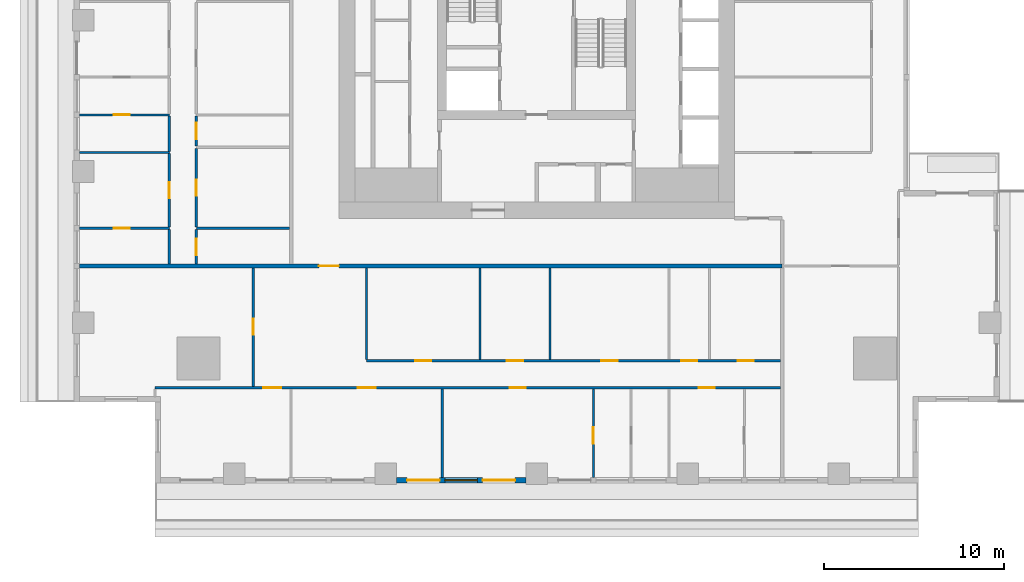
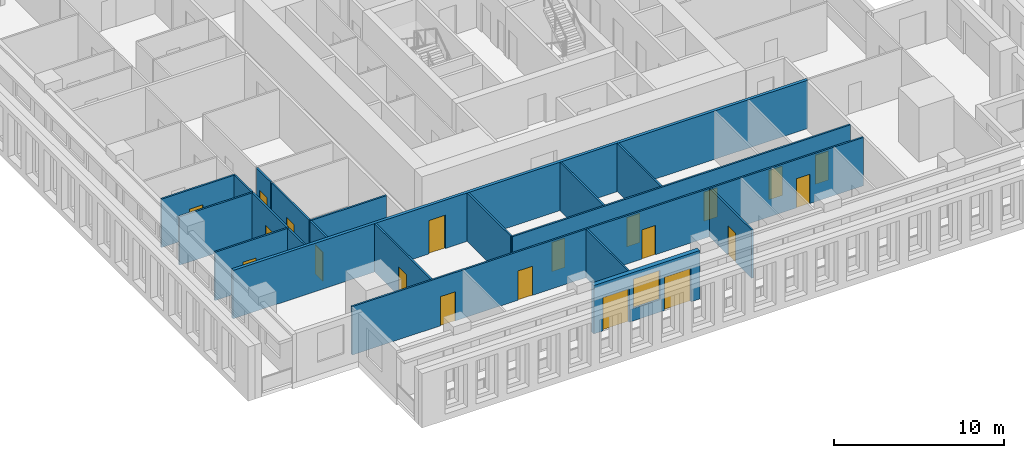
# One storey, part 2 of 15: 20 doors, 20 walls, 1 window, 21 openings.
"""IFC4 building model written with IfcOpenShell, lengths in metres."""

from ifc_helpers import new_model, si_unit, direction, frame, frame_2d, origin, place, context, subcontext, project, spatial, rectangle, extrude, material, layer, layer_set, type_object, element, fill, save


model = new_model("IFC4")

# Units and contexts
model_context = context("Model", 3, precision=1e-05, world=origin(), true_north=direction((0.0, 1.0)))
body_context = subcontext(model_context, "Body", "Model", "MODEL_VIEW")
ifc_project = project(units=[si_unit("LENGTHUNIT", "METRE"), si_unit("AREAUNIT", "SQUARE_METRE"), si_unit("VOLUMEUNIT", "CUBIC_METRE"), si_unit("PLANEANGLEUNIT", "RADIAN"), si_unit("MASSUNIT", "GRAM", prefix="KILO")], contexts=[model_context])

# Site, building, storey
site_placement = place(None, origin())
site = spatial("IfcSite", under=ifc_project, at=site_placement, CompositionType="ELEMENT")
building_placement = place(site_placement, origin())
building = spatial("IfcBuilding", under=site, at=building_placement, Name="Khepri Terraces", CompositionType="ELEMENT")
storey_placement = place(building_placement, frame((0.0, 0.0, 211.800048828125)))
storey = spatial("IfcBuildingStorey", under=building, at=storey_placement, Name="L50", CompositionType="ELEMENT", Elevation=211.800048828125)

# Wall, opening, door
ifc_material_1 = material(Name="Fire-rated gypsum plasterboard partition, mineral wool")
ifc_layer_1 = layer(ifc_material_1, 0.199951171875, Name="Fire-rated gypsum plasterboard partition, mineral wool")
ifc_layer_set_1 = layer_set([ifc_layer_1], Name="Fire-rated gypsum plasterboard partition, mineral wool")
wall_type_1 = type_object("IfcWallType", Name="WL-CORR-200", PredefinedType="PARTITIONING", material=ifc_layer_set_1)
wall_1_placement = place(storey_placement, frame((-25.419921875, -13.64990234375, 0.0), z_axis=(0.0, 0.0, 1.0), x_axis=(1.0, 0.0, 0.0)))
wall_1 = element("IfcWall", 1, at=wall_1_placement, inside=storey, type_object=wall_type_1, Name="Partition P-018 L50", PredefinedType="PARTITIONING", context=body_context, shape_type="SweptSolid", body=[
    extrude(rectangle(XDim=39.06982421875, YDim=0.199951171875, at=frame_2d((19.534912109375, 0.0))), origin(), (0.0, 0.0, 1.0), 3.47998046875),
])
opening_1_placement = place(wall_1_placement, frame((13.320068359375, 0.0, 0.0)))
opening_1 = element("IfcOpeningElement", 2, at=opening_1_placement, cuts=wall_1, Name="Opening D1", PredefinedType="OPENING", context=body_context, shape_type="SweptSolid", body=[
    extrude(rectangle(XDim=1.10009765625, YDim=2.39990234375, at=frame_2d((0.550048828125, 1.199951171875))), frame((0.0, 0.10986328125, 0.0), z_axis=(0.0, -1.0, 0.0), x_axis=(1.0, 0.0, 0.0)), (0.0, 0.0, 1.0), 0.219970703125),
])
ifc_material_2 = material(Name="Solid-core timber door leaf, flat entrance door", Category="wood")
door_type_1 = type_object("IfcDoorType", Name="DR-ENT-1100", OperationType="NOTDEFINED", PredefinedType="DOOR", material=ifc_material_2)
door_1_placement = place(opening_1_placement, frame((1.10009765625, 0.0, 0.0), z_axis=(0.0, 0.0, 1.0), x_axis=(-1.0, 0.0, 0.0)))
door_1 = element("IfcDoor", 3, at=door_1_placement, inside=storey, type_object=door_type_1, Name="Flat A1 entrance door", OperationType="SINGLE_SWING_RIGHT", OverallHeight=2.39990234375, OverallWidth=1.10009765625, PredefinedType="DOOR", context=body_context, shape_type="SweptSolid", body=[
    extrude(rectangle(XDim=1.10009765625, YDim=2.39990234375, at=frame_2d((0.550048828125, 1.199951171875))), frame((0.0, 0.02490234375, 0.0), z_axis=(0.0, -1.0, 0.0), x_axis=(1.0, 0.0, 0.0)), (0.0, 0.0, 1.0), 0.050048828125),
])
fill(opening_1, door_1)

# Wall, openings, doors, window
ifc_material_3 = material(Name="Precast concrete C50/60 warm stone", Category="masonry")
ifc_layer_2 = layer(ifc_material_3, 0.300048828125, Name="Precast concrete C50/60 warm stone", Category="masonry")
ifc_layer_set_2 = layer_set([ifc_layer_2], Name="Precast concrete C50/60 warm stone")
wall_type_2 = type_object("IfcWallType", Name="WL-EXT-PRECAST-300", PredefinedType="STANDARD", material=ifc_layer_set_2)
wall_2_placement = place(storey_placement, frame((-7.800048828125, -25.570068359375, 0.0), z_axis=(0.0, 0.0, 1.0), x_axis=(1.0, 0.0, 0.0)))
wall_2 = element("IfcWall", 4, at=wall_2_placement, inside=storey, type_object=wall_type_2, Name="External wall L50 S", PredefinedType="STANDARD", context=body_context, shape_type="SweptSolid", body=[
    extrude(rectangle(XDim=7.199951171875, YDim=0.300048828125, at=frame_2d((3.60009765625, 0.0))), origin(), (0.0, 0.0, 1.0), 3.47998046875),
])
opening_2_placement = place(wall_2_placement, frame((0.60009765625, 0.0, 0.0)))
opening_2 = element("IfcOpeningElement", 5, at=opening_2_placement, cuts=wall_2, Name="Opening ED-L50-20", PredefinedType="OPENING", context=body_context, shape_type="SweptSolid", body=[
    extrude(rectangle(XDim=1.800048828125, YDim=2.39990234375, at=frame_2d((0.89990234375, 1.199951171875))), frame((0.0, 0.16015625, 0.0), z_axis=(0.0, -1.0, 0.0), x_axis=(1.0, 0.0, 0.0)), (0.0, 0.0, 1.0), 0.320068359375),
])
opening_3_placement = place(wall_2_placement, frame((2.699951171875, 0.0, 0.89990234375)))
opening_3 = element("IfcOpeningElement", 6, at=opening_3_placement, cuts=wall_2, Name="Opening W1", PredefinedType="OPENING", context=body_context, shape_type="SweptSolid", body=[
    extrude(rectangle(XDim=1.800048828125, YDim=2.10009765625, at=frame_2d((0.89990234375, 1.050048828125))), frame((0.0, 0.16015625, 0.0), z_axis=(0.0, -1.0, 0.0), x_axis=(1.0, 0.0, 0.0)), (0.0, 0.0, 1.0), 0.320068359375),
])
opening_4_placement = place(wall_2_placement, frame((4.800048828125, 0.0, 0.0)))
opening_4 = element("IfcOpeningElement", 7, at=opening_4_placement, cuts=wall_2, Name="Opening ED-L50-21", PredefinedType="OPENING", context=body_context, shape_type="SweptSolid", body=[
    extrude(rectangle(XDim=1.800048828125, YDim=2.39990234375, at=frame_2d((0.89990234375, 1.199951171875))), frame((0.0, 0.16015625, 0.0), z_axis=(0.0, -1.0, 0.0), x_axis=(1.0, 0.0, 0.0)), (0.0, 0.0, 1.0), 0.320068359375),
])
ifc_material_4 = material(Name="Anodised aluminium bronze glazed door", Category="aluminium")
door_type_2 = type_object("IfcDoorType", Name="DR-BAL-SLIDE-1800x2400", OperationType="NOTDEFINED", PredefinedType="DOOR", material=ifc_material_4)
door_2_placement = place(opening_2_placement, origin())
door_2 = element("IfcDoor", 8, at=door_2_placement, inside=storey, type_object=door_type_2, Name="Balcony door L50 S", OperationType="SLIDING_TO_LEFT", OverallHeight=2.39990234375, OverallWidth=1.800048828125, PredefinedType="DOOR", context=body_context, shape_type="SweptSolid", body=[
    extrude(rectangle(XDim=1.800048828125, YDim=2.39990234375, at=frame_2d((0.89990234375, 1.199951171875))), frame((0.0, 0.02490234375, 0.0), z_axis=(0.0, -1.0, 0.0), x_axis=(1.0, 0.0, 0.0)), (0.0, 0.0, 1.0), 0.050048828125),
])
fill(opening_2, door_2)
door_3_placement = place(opening_4_placement, origin())
door_3 = element("IfcDoor", 9, at=door_3_placement, inside=storey, type_object=door_type_2, Name="Balcony door L50 S", OperationType="SLIDING_TO_RIGHT", OverallHeight=2.39990234375, OverallWidth=1.800048828125, PredefinedType="DOOR", context=body_context, shape_type="SweptSolid", body=[
    extrude(rectangle(XDim=1.800048828125, YDim=2.39990234375, at=frame_2d((0.89990234375, 1.199951171875))), frame((0.0, 0.02490234375, 0.0), z_axis=(0.0, -1.0, 0.0), x_axis=(1.0, 0.0, 0.0)), (0.0, 0.0, 1.0), 0.050048828125),
])
fill(opening_4, door_3)
ifc_material_5 = material(Name="Clear glass", Category="glass")
window_type = type_object("IfcWindowType", Name="WIN-RES-1800x2100", PartitioningType="SINGLE_PANEL", PredefinedType="WINDOW", material=ifc_material_5)
window_placement = place(opening_3_placement, origin())
window = element("IfcWindow", 10, at=window_placement, inside=storey, type_object=window_type, Name="Window L50 S", OverallHeight=2.10009765625, OverallWidth=1.800048828125, PartitioningType="SINGLE_PANEL", PredefinedType="WINDOW", context=body_context, shape_type="SweptSolid", body=[
    extrude(rectangle(XDim=1.800048828125, YDim=2.10009765625, at=frame_2d((0.89990234375, 1.050048828125))), frame((0.0, 0.030029296875, 0.0), z_axis=(0.0, -1.0, 0.0), x_axis=(1.0, 0.0, 0.0)), (0.0, 0.0, 1.0), 0.06005859375),
])
fill(opening_3, window)

# Wall
ifc_material_6 = material(Name="Gypsum plasterboard partition")
ifc_layer_3 = layer(ifc_material_6, 0.1201171875, Name="Gypsum plasterboard partition")
ifc_layer_set_3 = layer_set([ifc_layer_3], Name="Gypsum plasterboard partition")
wall_type_3 = type_object("IfcWallType", Name="WL-PART-120", PredefinedType="PARTITIONING", material=ifc_layer_set_3)
wall_3_placement = place(storey_placement, frame((-5.25, -25.419921875, 0.0), z_axis=(0.0, 0.0, 1.0), x_axis=(0.0, 1.0, 0.0)))
element("IfcWall", 11, at=wall_3_placement, inside=storey, type_object=wall_type_3, Name="Partition P-002 L50", PredefinedType="PARTITIONING", context=body_context, shape_type="SweptSolid", body=[
    extrude(rectangle(XDim=4.93994140625, YDim=0.1201171875, at=frame_2d((2.469970703125, 0.0))), origin(), (0.0, 0.0, 1.0), 3.47998046875),
])

# Wall, opening, door
wall_4_placement = place(storey_placement, frame((3.14990234375, -25.419921875, 0.0), z_axis=(0.0, 0.0, 1.0), x_axis=(0.0, 1.0, 0.0)))
wall_4 = element("IfcWall", 12, at=wall_4_placement, inside=storey, type_object=wall_type_3, Name="Partition P-003 L50", PredefinedType="PARTITIONING", context=body_context, shape_type="SweptSolid", body=[
    extrude(rectangle(XDim=4.93994140625, YDim=0.1201171875, at=frame_2d((2.469970703125, 0.0))), origin(), (0.0, 0.0, 1.0), 3.47998046875),
])
opening_5_placement = place(wall_4_placement, frame((1.89990234375, 0.0, 0.0)))
opening_5 = element("IfcOpeningElement", 13, at=opening_5_placement, cuts=wall_4, Name="Opening D3", PredefinedType="OPENING", context=body_context, shape_type="SweptSolid", body=[
    extrude(rectangle(XDim=0.89990234375, YDim=2.10009765625, at=frame_2d((0.449951171875, 1.050048828125))), frame((0.0, 0.070068359375, 0.0), z_axis=(0.0, -1.0, 0.0), x_axis=(1.0, 0.0, 0.0)), (0.0, 0.0, 1.0), 0.14013671875),
])
ifc_material_7 = material(Name="Timber door leaf", Category="wood")
door_type_3 = type_object("IfcDoorType", Name="DR-INT-900", OperationType="NOTDEFINED", PredefinedType="DOOR", material=ifc_material_7)
door_4_placement = place(opening_5_placement, frame((0.89990234375, 0.0, 0.0), z_axis=(0.0, 0.0, 1.0), x_axis=(-1.0, 0.0, 0.0)))
door_4 = element("IfcDoor", 14, at=door_4_placement, inside=storey, type_object=door_type_3, Name="Door Dressing Room", OperationType="SINGLE_SWING_RIGHT", OverallHeight=2.10009765625, OverallWidth=0.89990234375, PredefinedType="DOOR", context=body_context, shape_type="SweptSolid", body=[
    extrude(rectangle(XDim=0.89990234375, YDim=2.10009765625, at=frame_2d((0.449951171875, 1.050048828125))), frame((0.0, 0.02490234375, 0.0), z_axis=(0.0, -1.0, 0.0), x_axis=(1.0, 0.0, 0.0)), (0.0, 0.0, 1.0), 0.050048828125),
])
fill(opening_5, door_4)

# Wall, openings, doors
wall_5_placement = place(storey_placement, frame((-21.218994140625, -20.419921875, 0.0), z_axis=(0.0, 0.0, 1.0), x_axis=(1.0, 0.0, 0.0)))
wall_5 = element("IfcWall", 15, at=wall_5_placement, inside=storey, type_object=wall_type_3, Name="Partition P-010 L50", PredefinedType="PARTITIONING", context=body_context, shape_type="SweptSolid", body=[
    extrude(rectangle(XDim=34.76904296875, YDim=0.1201171875, at=frame_2d((17.384521484375, 0.0))), origin(), (0.0, 0.0, 1.0), 3.47998046875),
])
opening_6_placement = place(wall_5_placement, frame((6.01904296875, 0.0, 0.0)))
opening_6 = element("IfcOpeningElement", 16, at=opening_6_placement, cuts=wall_5, Name="Opening D2", PredefinedType="OPENING", context=body_context, shape_type="SweptSolid", body=[
    extrude(rectangle(XDim=1.0, YDim=2.10009765625, at=frame_2d((0.5, 1.050048828125))), frame((0.0, 0.070068359375, 0.0), z_axis=(0.0, -1.0, 0.0), x_axis=(1.0, 0.0, 0.0)), (0.0, 0.0, 1.0), 0.14013671875),
])
opening_7_placement = place(wall_5_placement, frame((11.26904296875, 0.0, 0.0)))
opening_7 = element("IfcOpeningElement", 17, at=opening_7_placement, cuts=wall_5, Name="Opening D2", PredefinedType="OPENING", context=body_context, shape_type="SweptSolid", body=[
    extrude(rectangle(XDim=1.0, YDim=2.10009765625, at=frame_2d((0.5, 1.050048828125))), frame((0.0, 0.070068359375, 0.0), z_axis=(0.0, -1.0, 0.0), x_axis=(1.0, 0.0, 0.0)), (0.0, 0.0, 1.0), 0.14013671875),
])
opening_8_placement = place(wall_5_placement, frame((19.718994140625, 0.0, 0.0)))
opening_8 = element("IfcOpeningElement", 18, at=opening_8_placement, cuts=wall_5, Name="Opening D3", PredefinedType="OPENING", context=body_context, shape_type="SweptSolid", body=[
    extrude(rectangle(XDim=0.89990234375, YDim=2.10009765625, at=frame_2d((0.449951171875, 1.050048828125))), frame((0.0, 0.070068359375, 0.0), z_axis=(0.0, -1.0, 0.0), x_axis=(1.0, 0.0, 0.0)), (0.0, 0.0, 1.0), 0.14013671875),
])
opening_9_placement = place(wall_5_placement, frame((30.218994140625, 0.0, 0.0)))
opening_9 = element("IfcOpeningElement", 19, at=opening_9_placement, cuts=wall_5, Name="Opening D3", PredefinedType="OPENING", context=body_context, shape_type="SweptSolid", body=[
    extrude(rectangle(XDim=0.89990234375, YDim=2.10009765625, at=frame_2d((0.449951171875, 1.050048828125))), frame((0.0, 0.070068359375, 0.0), z_axis=(0.0, -1.0, 0.0), x_axis=(1.0, 0.0, 0.0)), (0.0, 0.0, 1.0), 0.14013671875),
])
ifc_material_8 = material(Name="Timber door leaf, living room door", Category="wood")
door_type_4 = type_object("IfcDoorType", Name="DR-INT-1000", OperationType="NOTDEFINED", PredefinedType="DOOR", material=ifc_material_8)
door_5_placement = place(opening_6_placement, frame((1.0, 0.0, 0.0), z_axis=(0.0, 0.0, 1.0), x_axis=(-1.0, 0.0, 0.0)))
door_5 = element("IfcDoor", 20, at=door_5_placement, inside=storey, type_object=door_type_4, Name="Door Living Room", OperationType="SINGLE_SWING_RIGHT", OverallHeight=2.10009765625, OverallWidth=1.0, PredefinedType="DOOR", context=body_context, shape_type="SweptSolid", body=[
    extrude(rectangle(XDim=1.0, YDim=2.10009765625, at=frame_2d((0.5, 1.050048828125))), frame((0.0, 0.02490234375, 0.0), z_axis=(0.0, -1.0, 0.0), x_axis=(1.0, 0.0, 0.0)), (0.0, 0.0, 1.0), 0.050048828125),
])
fill(opening_6, door_5)
door_6_placement = place(opening_7_placement, frame((1.0, 0.0, 0.0), z_axis=(0.0, 0.0, 1.0), x_axis=(-1.0, 0.0, 0.0)))
door_6 = element("IfcDoor", 21, at=door_6_placement, inside=storey, type_object=door_type_4, Name="Door Family Room", OperationType="SINGLE_SWING_RIGHT", OverallHeight=2.10009765625, OverallWidth=1.0, PredefinedType="DOOR", context=body_context, shape_type="SweptSolid", body=[
    extrude(rectangle(XDim=1.0, YDim=2.10009765625, at=frame_2d((0.5, 1.050048828125))), frame((0.0, 0.02490234375, 0.0), z_axis=(0.0, -1.0, 0.0), x_axis=(1.0, 0.0, 0.0)), (0.0, 0.0, 1.0), 0.050048828125),
])
fill(opening_7, door_6)
door_7_placement = place(opening_8_placement, frame((0.89990234375, 0.0, 0.0), z_axis=(0.0, 0.0, 1.0), x_axis=(-1.0, 0.0, 0.0)))
door_7 = element("IfcDoor", 22, at=door_7_placement, inside=storey, type_object=door_type_3, Name="Door Master Bedroom", OperationType="SINGLE_SWING_LEFT", OverallHeight=2.10009765625, OverallWidth=0.89990234375, PredefinedType="DOOR", context=body_context, shape_type="SweptSolid", body=[
    extrude(rectangle(XDim=0.89990234375, YDim=2.10009765625, at=frame_2d((0.449951171875, 1.050048828125))), frame((0.0, 0.02490234375, 0.0), z_axis=(0.0, -1.0, 0.0), x_axis=(1.0, 0.0, 0.0)), (0.0, 0.0, 1.0), 0.050048828125),
])
fill(opening_8, door_7)
door_8_placement = place(opening_9_placement, frame((0.89990234375, 0.0, 0.0), z_axis=(0.0, 0.0, 1.0), x_axis=(-1.0, 0.0, 0.0)))
door_8 = element("IfcDoor", 23, at=door_8_placement, inside=storey, type_object=door_type_3, Name="Door Bedroom", OperationType="SINGLE_SWING_LEFT", OverallHeight=2.10009765625, OverallWidth=0.89990234375, PredefinedType="DOOR", context=body_context, shape_type="SweptSolid", body=[
    extrude(rectangle(XDim=0.89990234375, YDim=2.10009765625, at=frame_2d((0.449951171875, 1.050048828125))), frame((0.0, 0.02490234375, 0.0), z_axis=(0.0, -1.0, 0.0), x_axis=(1.0, 0.0, 0.0)), (0.0, 0.0, 1.0), 0.050048828125),
])
fill(opening_9, door_8)

# Wall, opening, door
wall_6_placement = place(storey_placement, frame((-15.75, -20.360107421875, 0.0), z_axis=(0.0, 0.0, 1.0), x_axis=(0.0, 1.0, 0.0)))
wall_6 = element("IfcWall", 24, at=wall_6_placement, inside=storey, type_object=wall_type_3, Name="Partition P-011 L50", PredefinedType="PARTITIONING", context=body_context, shape_type="SweptSolid", body=[
    extrude(rectangle(XDim=6.610107421875, YDim=0.1201171875, at=frame_2d((3.30517578125, 0.0))), origin(), (0.0, 0.0, 1.0), 3.47998046875),
])
opening_10_placement = place(wall_6_placement, frame((2.875, 0.0, 0.0)))
opening_10 = element("IfcOpeningElement", 25, at=opening_10_placement, cuts=wall_6, Name="Opening D3", PredefinedType="OPENING", context=body_context, shape_type="SweptSolid", body=[
    extrude(rectangle(XDim=0.89990234375, YDim=2.10009765625, at=frame_2d((0.449951171875, 1.050048828125))), frame((0.0, 0.070068359375, 0.0), z_axis=(0.0, -1.0, 0.0), x_axis=(1.0, 0.0, 0.0)), (0.0, 0.0, 1.0), 0.14013671875),
])
door_9_placement = place(opening_10_placement, origin())
door_9 = element("IfcDoor", 26, at=door_9_placement, inside=storey, type_object=door_type_3, Name="Door Home Gym", OperationType="SINGLE_SWING_RIGHT", OverallHeight=2.10009765625, OverallWidth=0.89990234375, PredefinedType="DOOR", context=body_context, shape_type="SweptSolid", body=[
    extrude(rectangle(XDim=0.89990234375, YDim=2.10009765625, at=frame_2d((0.449951171875, 1.050048828125))), frame((0.0, 0.02490234375, 0.0), z_axis=(0.0, -1.0, 0.0), x_axis=(1.0, 0.0, 0.0)), (0.0, 0.0, 1.0), 0.050048828125),
])
fill(opening_10, door_9)

# Wall, openings, doors
wall_7_placement = place(storey_placement, frame((-9.449951171875, -18.919921875, 0.0), z_axis=(0.0, 0.0, 1.0), x_axis=(1.0, 0.0, 0.0)))
wall_7 = element("IfcWall", 27, at=wall_7_placement, inside=storey, type_object=wall_type_3, Name="Partition P-012 L50", PredefinedType="PARTITIONING", context=body_context, shape_type="SweptSolid", body=[
    extrude(rectangle(XDim=23.0, YDim=0.1201171875, at=frame_2d((11.5, 0.0))), origin(), (0.0, 0.0, 1.0), 3.47998046875),
])
opening_11_placement = place(wall_7_placement, frame((2.699951171875, 0.0, 0.0)))
opening_11 = element("IfcOpeningElement", 28, at=opening_11_placement, cuts=wall_7, Name="Opening D3", PredefinedType="OPENING", context=body_context, shape_type="SweptSolid", body=[
    extrude(rectangle(XDim=0.89990234375, YDim=2.10009765625, at=frame_2d((0.449951171875, 1.050048828125))), frame((0.0, 0.070068359375, 0.0), z_axis=(0.0, -1.0, 0.0), x_axis=(1.0, 0.0, 0.0)), (0.0, 0.0, 1.0), 0.14013671875),
])
opening_12_placement = place(wall_7_placement, frame((7.800048828125, 0.0, 0.0)))
opening_12 = element("IfcOpeningElement", 29, at=opening_12_placement, cuts=wall_7, Name="Opening D3", PredefinedType="OPENING", context=body_context, shape_type="SweptSolid", body=[
    extrude(rectangle(XDim=0.89990234375, YDim=2.10009765625, at=frame_2d((0.449951171875, 1.050048828125))), frame((0.0, 0.070068359375, 0.0), z_axis=(0.0, -1.0, 0.0), x_axis=(1.0, 0.0, 0.0)), (0.0, 0.0, 1.0), 0.14013671875),
])
opening_13_placement = place(wall_7_placement, frame((13.050048828125, 0.0, 0.0)))
opening_13 = element("IfcOpeningElement", 30, at=opening_13_placement, cuts=wall_7, Name="Opening D3", PredefinedType="OPENING", context=body_context, shape_type="SweptSolid", body=[
    extrude(rectangle(XDim=0.89990234375, YDim=2.10009765625, at=frame_2d((0.449951171875, 1.050048828125))), frame((0.0, 0.070068359375, 0.0), z_axis=(0.0, -1.0, 0.0), x_axis=(1.0, 0.0, 0.0)), (0.0, 0.0, 1.0), 0.14013671875),
])
opening_14_placement = place(wall_7_placement, frame((17.47509765625, 0.0, 0.0)))
opening_14 = element("IfcOpeningElement", 31, at=opening_14_placement, cuts=wall_7, Name="Opening D4", PredefinedType="OPENING", context=body_context, shape_type="SweptSolid", body=[
    extrude(rectangle(XDim=0.89990234375, YDim=2.10009765625, at=frame_2d((0.449951171875, 1.050048828125))), frame((0.0, 0.070068359375, 0.0), z_axis=(0.0, -1.0, 0.0), x_axis=(1.0, 0.0, 0.0)), (0.0, 0.0, 1.0), 0.14013671875),
])
opening_15_placement = place(wall_7_placement, frame((20.625, 0.0, 0.0)))
opening_15 = element("IfcOpeningElement", 32, at=opening_15_placement, cuts=wall_7, Name="Opening D4", PredefinedType="OPENING", context=body_context, shape_type="SweptSolid", body=[
    extrude(rectangle(XDim=0.89990234375, YDim=2.10009765625, at=frame_2d((0.449951171875, 1.050048828125))), frame((0.0, 0.070068359375, 0.0), z_axis=(0.0, -1.0, 0.0), x_axis=(1.0, 0.0, 0.0)), (0.0, 0.0, 1.0), 0.14013671875),
])
door_10_placement = place(opening_11_placement, origin())
door_10 = element("IfcDoor", 33, at=door_10_placement, inside=storey, type_object=door_type_3, Name="Door Kitchen", OperationType="SINGLE_SWING_LEFT", OverallHeight=2.10009765625, OverallWidth=0.89990234375, PredefinedType="DOOR", context=body_context, shape_type="SweptSolid", body=[
    extrude(rectangle(XDim=0.89990234375, YDim=2.10009765625, at=frame_2d((0.449951171875, 1.050048828125))), frame((0.0, 0.02490234375, 0.0), z_axis=(0.0, -1.0, 0.0), x_axis=(1.0, 0.0, 0.0)), (0.0, 0.0, 1.0), 0.050048828125),
])
fill(opening_11, door_10)
door_11_placement = place(opening_12_placement, origin())
door_11 = element("IfcDoor", 34, at=door_11_placement, inside=storey, type_object=door_type_3, Name="Door Service Kitchen", OperationType="SINGLE_SWING_LEFT", OverallHeight=2.10009765625, OverallWidth=0.89990234375, PredefinedType="DOOR", context=body_context, shape_type="SweptSolid", body=[
    extrude(rectangle(XDim=0.89990234375, YDim=2.10009765625, at=frame_2d((0.449951171875, 1.050048828125))), frame((0.0, 0.02490234375, 0.0), z_axis=(0.0, -1.0, 0.0), x_axis=(1.0, 0.0, 0.0)), (0.0, 0.0, 1.0), 0.050048828125),
])
fill(opening_12, door_11)
door_12_placement = place(opening_13_placement, origin())
door_12 = element("IfcDoor", 35, at=door_12_placement, inside=storey, type_object=door_type_3, Name="Door Staff Bedroom", OperationType="SINGLE_SWING_RIGHT", OverallHeight=2.10009765625, OverallWidth=0.89990234375, PredefinedType="DOOR", context=body_context, shape_type="SweptSolid", body=[
    extrude(rectangle(XDim=0.89990234375, YDim=2.10009765625, at=frame_2d((0.449951171875, 1.050048828125))), frame((0.0, 0.02490234375, 0.0), z_axis=(0.0, -1.0, 0.0), x_axis=(1.0, 0.0, 0.0)), (0.0, 0.0, 1.0), 0.050048828125),
])
fill(opening_13, door_12)
ifc_material_9 = material(Name="Timber door leaf, moisture resistant", Category="wood")
door_type_5 = type_object("IfcDoorType", Name="DR-WET-900", OperationType="NOTDEFINED", PredefinedType="DOOR", material=ifc_material_9)
door_13_placement = place(opening_14_placement, origin())
door_13 = element("IfcDoor", 36, at=door_13_placement, inside=storey, type_object=door_type_5, Name="Door Powder Room", OperationType="SINGLE_SWING_RIGHT", OverallHeight=2.10009765625, OverallWidth=0.89990234375, PredefinedType="DOOR", context=body_context, shape_type="SweptSolid", body=[
    extrude(rectangle(XDim=0.89990234375, YDim=2.10009765625, at=frame_2d((0.449951171875, 1.050048828125))), frame((0.0, 0.02490234375, 0.0), z_axis=(0.0, -1.0, 0.0), x_axis=(1.0, 0.0, 0.0)), (0.0, 0.0, 1.0), 0.050048828125),
])
fill(opening_14, door_13)
door_14_placement = place(opening_15_placement, origin())
door_14 = element("IfcDoor", 37, at=door_14_placement, inside=storey, type_object=door_type_5, Name="Door Guest Bathroom", OperationType="SINGLE_SWING_RIGHT", OverallHeight=2.10009765625, OverallWidth=0.89990234375, PredefinedType="DOOR", context=body_context, shape_type="SweptSolid", body=[
    extrude(rectangle(XDim=0.89990234375, YDim=2.10009765625, at=frame_2d((0.449951171875, 1.050048828125))), frame((0.0, 0.02490234375, 0.0), z_axis=(0.0, -1.0, 0.0), x_axis=(1.0, 0.0, 0.0)), (0.0, 0.0, 1.0), 0.050048828125),
])
fill(opening_15, door_14)

# Walls
for number, where, z_axis, x_axis, name in (
    (38, (-9.449951171875, -18.860107421875, 0.0), (0.0, 0.0, 1.0), (0.0, 1.0, 0.0), "Partition P-013 L50"),
    (39, (-3.14990234375, -18.860107421875, 0.0), (0.0, 0.0, 1.0), (0.0, 1.0, 0.0), "Partition P-014 L50"),
    (40, (0.75, -18.860107421875, 0.0), (0.0, 0.0, 1.0), (0.0, 1.0, 0.0), "Partition P-015 L50"),
):
    element("IfcWall", number, at=place(storey_placement, frame(where, z_axis=z_axis, x_axis=x_axis)), inside=storey, type_object=wall_type_3, Name=name, PredefinedType="PARTITIONING", context=body_context, shape_type="SweptSolid", body=[
        extrude(rectangle(XDim=5.110107421875, YDim=0.1201171875, at=frame_2d((2.55517578125, 0.0))), origin(), (0.0, 0.0, 1.0), 3.47998046875),
    ])
wall_8_placement = place(storey_placement, frame((-20.419921875, -13.550048828125, 0.0), z_axis=(0.0, 0.0, 1.0), x_axis=(0.0, 1.0, 0.0)))
element("IfcWall", 41, at=wall_8_placement, inside=storey, type_object=wall_type_3, Name="Partition P-021 L50", PredefinedType="PARTITIONING", context=body_context, shape_type="SweptSolid", body=[
    extrude(rectangle(XDim=1.93994140625, YDim=0.1201171875, at=frame_2d((0.969970703125, 0.0))), origin(), (0.0, 0.0, 1.0), 3.47998046875),
])

# Wall, opening, door
wall_9_placement = place(storey_placement, frame((-18.919921875, -13.550048828125, 0.0), z_axis=(0.0, 0.0, 1.0), x_axis=(0.0, 1.0, 0.0)))
wall_9 = element("IfcWall", 42, at=wall_9_placement, inside=storey, type_object=wall_type_3, Name="Partition P-022 L50", PredefinedType="PARTITIONING", context=body_context, shape_type="SweptSolid", body=[
    extrude(rectangle(XDim=1.93994140625, YDim=0.1201171875, at=frame_2d((0.969970703125, 0.0))), origin(), (0.0, 0.0, 1.0), 3.47998046875),
])
opening_16_placement = place(wall_9_placement, frame((0.5, 0.0, 0.0)))
opening_16 = element("IfcOpeningElement", 43, at=opening_16_placement, cuts=wall_9, Name="Opening D3", PredefinedType="OPENING", context=body_context, shape_type="SweptSolid", body=[
    extrude(rectangle(XDim=0.89990234375, YDim=2.10009765625, at=frame_2d((0.449951171875, 1.050048828125))), frame((0.0, 0.070068359375, 0.0), z_axis=(0.0, -1.0, 0.0), x_axis=(1.0, 0.0, 0.0)), (0.0, 0.0, 1.0), 0.14013671875),
])
door_15_placement = place(opening_16_placement, frame((0.89990234375, 0.0, 0.0), z_axis=(0.0, 0.0, 1.0), x_axis=(-1.0, 0.0, 0.0)))
door_15 = element("IfcDoor", 44, at=door_15_placement, inside=storey, type_object=door_type_3, Name="Door Utility Room", OperationType="SINGLE_SWING_RIGHT", OverallHeight=2.10009765625, OverallWidth=0.89990234375, PredefinedType="DOOR", context=body_context, shape_type="SweptSolid", body=[
    extrude(rectangle(XDim=0.89990234375, YDim=2.10009765625, at=frame_2d((0.449951171875, 1.050048828125))), frame((0.0, 0.02490234375, 0.0), z_axis=(0.0, -1.0, 0.0), x_axis=(1.0, 0.0, 0.0)), (0.0, 0.0, 1.0), 0.050048828125),
])
fill(opening_16, door_15)

wall_10_placement = place(storey_placement, frame((-25.419921875, -11.550048828125, 0.0), z_axis=(0.0, 0.0, 1.0), x_axis=(1.0, 0.0, 0.0)))
wall_10 = element("IfcWall", 45, at=wall_10_placement, inside=storey, type_object=wall_type_3, Name="Partition P-025 L50", PredefinedType="PARTITIONING", context=body_context, shape_type="SweptSolid", body=[
    extrude(rectangle(XDim=5.0, YDim=0.1201171875, at=frame_2d((2.5, 0.0))), origin(), (0.0, 0.0, 1.0), 3.47998046875),
])
opening_17_placement = place(wall_10_placement, frame((1.89990234375, 0.0, 0.0)))
opening_17 = element("IfcOpeningElement", 46, at=opening_17_placement, cuts=wall_10, Name="Opening D4", PredefinedType="OPENING", context=body_context, shape_type="SweptSolid", body=[
    extrude(rectangle(XDim=0.89990234375, YDim=2.10009765625, at=frame_2d((0.449951171875, 1.050048828125))), frame((0.0, 0.070068359375, 0.0), z_axis=(0.0, -1.0, 0.0), x_axis=(1.0, 0.0, 0.0)), (0.0, 0.0, 1.0), 0.14013671875),
])
door_16_placement = place(opening_17_placement, frame((0.89990234375, 0.0, 0.0), z_axis=(0.0, 0.0, 1.0), x_axis=(-1.0, 0.0, 0.0)))
door_16 = element("IfcDoor", 47, at=door_16_placement, inside=storey, type_object=door_type_5, Name="Door Bathroom", OperationType="SINGLE_SWING_RIGHT", OverallHeight=2.10009765625, OverallWidth=0.89990234375, PredefinedType="DOOR", context=body_context, shape_type="SweptSolid", body=[
    extrude(rectangle(XDim=0.89990234375, YDim=2.10009765625, at=frame_2d((0.449951171875, 1.050048828125))), frame((0.0, 0.02490234375, 0.0), z_axis=(0.0, -1.0, 0.0), x_axis=(1.0, 0.0, 0.0)), (0.0, 0.0, 1.0), 0.050048828125),
])
fill(opening_17, door_16)

# Wall
wall_11_placement = place(storey_placement, frame((-18.919921875, -11.550048828125, 0.0), z_axis=(0.0, 0.0, 1.0), x_axis=(1.0, 0.0, 0.0)))
element("IfcWall", 48, at=wall_11_placement, inside=storey, type_object=wall_type_3, Name="Partition P-026 L50", PredefinedType="PARTITIONING", context=body_context, shape_type="SweptSolid", body=[
    extrude(rectangle(XDim=5.169921875, YDim=0.1201171875, at=frame_2d((2.5849609375, 0.0))), origin(), (0.0, 0.0, 1.0), 3.47998046875),
])

# Wall, opening, door
wall_12_placement = place(storey_placement, frame((-20.419921875, -11.489990234375, 0.0), z_axis=(0.0, 0.0, 1.0), x_axis=(0.0, 1.0, 0.0)))
wall_12 = element("IfcWall", 49, at=wall_12_placement, inside=storey, type_object=wall_type_3, Name="Partition P-027 L50", PredefinedType="PARTITIONING", context=body_context, shape_type="SweptSolid", body=[
    extrude(rectangle(XDim=4.080078125, YDim=0.1201171875, at=frame_2d((2.0400390625, 0.0))), origin(), (0.0, 0.0, 1.0), 3.47998046875),
])
opening_18_placement = place(wall_12_placement, frame((1.590087890625, 0.0, 0.0)))
opening_18 = element("IfcOpeningElement", 50, at=opening_18_placement, cuts=wall_12, Name="Opening D3", PredefinedType="OPENING", context=body_context, shape_type="SweptSolid", body=[
    extrude(rectangle(XDim=0.89990234375, YDim=2.10009765625, at=frame_2d((0.449951171875, 1.050048828125))), frame((0.0, 0.070068359375, 0.0), z_axis=(0.0, -1.0, 0.0), x_axis=(1.0, 0.0, 0.0)), (0.0, 0.0, 1.0), 0.14013671875),
])
door_17_placement = place(opening_18_placement, origin())
door_17 = element("IfcDoor", 51, at=door_17_placement, inside=storey, type_object=door_type_3, Name="Door Bedroom", OperationType="SINGLE_SWING_RIGHT", OverallHeight=2.10009765625, OverallWidth=0.89990234375, PredefinedType="DOOR", context=body_context, shape_type="SweptSolid", body=[
    extrude(rectangle(XDim=0.89990234375, YDim=2.10009765625, at=frame_2d((0.449951171875, 1.050048828125))), frame((0.0, 0.02490234375, 0.0), z_axis=(0.0, -1.0, 0.0), x_axis=(1.0, 0.0, 0.0)), (0.0, 0.0, 1.0), 0.050048828125),
])
fill(opening_18, door_17)

wall_13_placement = place(storey_placement, frame((-18.919921875, -11.489990234375, 0.0), z_axis=(0.0, 0.0, 1.0), x_axis=(0.0, 1.0, 0.0)))
wall_13 = element("IfcWall", 52, at=wall_13_placement, inside=storey, type_object=wall_type_3, Name="Partition P-028 L50", PredefinedType="PARTITIONING", context=body_context, shape_type="SweptSolid", body=[
    extrude(rectangle(XDim=4.3798828125, YDim=0.1201171875, at=frame_2d((2.18994140625, 0.0))), origin(), (0.0, 0.0, 1.0), 3.47998046875),
])
opening_19_placement = place(wall_13_placement, frame((1.739990234375, 0.0, 0.0)))
opening_19 = element("IfcOpeningElement", 53, at=opening_19_placement, cuts=wall_13, Name="Opening D4", PredefinedType="OPENING", context=body_context, shape_type="SweptSolid", body=[
    extrude(rectangle(XDim=0.89990234375, YDim=2.10009765625, at=frame_2d((0.449951171875, 1.050048828125))), frame((0.0, 0.070068359375, 0.0), z_axis=(0.0, -1.0, 0.0), x_axis=(1.0, 0.0, 0.0)), (0.0, 0.0, 1.0), 0.14013671875),
])
door_18_placement = place(opening_19_placement, frame((0.89990234375, 0.0, 0.0), z_axis=(0.0, 0.0, 1.0), x_axis=(-1.0, 0.0, 0.0)))
door_18 = element("IfcDoor", 54, at=door_18_placement, inside=storey, type_object=door_type_5, Name="Door Guest Bathroom", OperationType="SINGLE_SWING_RIGHT", OverallHeight=2.10009765625, OverallWidth=0.89990234375, PredefinedType="DOOR", context=body_context, shape_type="SweptSolid", body=[
    extrude(rectangle(XDim=0.89990234375, YDim=2.10009765625, at=frame_2d((0.449951171875, 1.050048828125))), frame((0.0, 0.02490234375, 0.0), z_axis=(0.0, -1.0, 0.0), x_axis=(1.0, 0.0, 0.0)), (0.0, 0.0, 1.0), 0.050048828125),
])
fill(opening_19, door_18)

# Walls
wall_14_placement = place(storey_placement, frame((-25.419921875, -7.35009765625, 0.0), z_axis=(0.0, 0.0, 1.0), x_axis=(1.0, 0.0, 0.0)))
element("IfcWall", 55, at=wall_14_placement, inside=storey, type_object=wall_type_3, Name="Partition P-031 L50", PredefinedType="PARTITIONING", context=body_context, shape_type="SweptSolid", body=[
    extrude(rectangle(XDim=5.0, YDim=0.1201171875, at=frame_2d((2.5, 0.0))), origin(), (0.0, 0.0, 1.0), 3.47998046875),
])
wall_15_placement = place(storey_placement, frame((-20.419921875, -7.2900390625, 0.0), z_axis=(0.0, 0.0, 1.0), x_axis=(0.0, 1.0, 0.0)))
element("IfcWall", 56, at=wall_15_placement, inside=storey, type_object=wall_type_3, Name="Partition P-033 L50", PredefinedType="PARTITIONING", context=body_context, shape_type="SweptSolid", body=[
    extrude(rectangle(XDim=1.97998046875, YDim=0.1201171875, at=frame_2d((0.989990234375, 0.0))), origin(), (0.0, 0.0, 1.0), 3.47998046875),
])

# Wall, opening, door
wall_16_placement = place(storey_placement, frame((-18.919921875, -6.989990234375, 0.0), z_axis=(0.0, 0.0, 1.0), x_axis=(0.0, 1.0, 0.0)))
wall_16 = element("IfcWall", 57, at=wall_16_placement, inside=storey, type_object=wall_type_3, Name="Partition P-036 L50", PredefinedType="PARTITIONING", context=body_context, shape_type="SweptSolid", body=[
    extrude(rectangle(XDim=1.679931640625, YDim=0.1201171875, at=frame_2d((0.83984375, 0.0))), origin(), (0.0, 0.0, 1.0), 3.47998046875),
])
opening_20_placement = place(wall_16_placement, frame((0.389892578125, 0.0, 0.0)))
opening_20 = element("IfcOpeningElement", 58, at=opening_20_placement, cuts=wall_16, Name="Opening D4", PredefinedType="OPENING", context=body_context, shape_type="SweptSolid", body=[
    extrude(rectangle(XDim=0.89990234375, YDim=2.10009765625, at=frame_2d((0.449951171875, 1.050048828125))), frame((0.0, 0.070068359375, 0.0), z_axis=(0.0, -1.0, 0.0), x_axis=(1.0, 0.0, 0.0)), (0.0, 0.0, 1.0), 0.14013671875),
])
door_19_placement = place(opening_20_placement, frame((0.89990234375, 0.0, 0.0), z_axis=(0.0, 0.0, 1.0), x_axis=(-1.0, 0.0, 0.0)))
door_19 = element("IfcDoor", 59, at=door_19_placement, inside=storey, type_object=door_type_5, Name="Door Powder Room", OperationType="SINGLE_SWING_RIGHT", OverallHeight=2.10009765625, OverallWidth=0.89990234375, PredefinedType="DOOR", context=body_context, shape_type="SweptSolid", body=[
    extrude(rectangle(XDim=0.89990234375, YDim=2.10009765625, at=frame_2d((0.449951171875, 1.050048828125))), frame((0.0, 0.02490234375, 0.0), z_axis=(0.0, -1.0, 0.0), x_axis=(1.0, 0.0, 0.0)), (0.0, 0.0, 1.0), 0.050048828125),
])
fill(opening_20, door_19)

wall_17_placement = place(storey_placement, frame((-25.419921875, -5.25, 0.0), z_axis=(0.0, 0.0, 1.0), x_axis=(1.0, 0.0, 0.0)))
wall_17 = element("IfcWall", 60, at=wall_17_placement, inside=storey, type_object=wall_type_3, Name="Partition P-037 L50", PredefinedType="PARTITIONING", context=body_context, shape_type="SweptSolid", body=[
    extrude(rectangle(XDim=5.0, YDim=0.1201171875, at=frame_2d((2.5, 0.0))), origin(), (0.0, 0.0, 1.0), 3.47998046875),
])
opening_21_placement = place(wall_17_placement, frame((1.89990234375, 0.0, 0.0)))
opening_21 = element("IfcOpeningElement", 61, at=opening_21_placement, cuts=wall_17, Name="Opening D4", PredefinedType="OPENING", context=body_context, shape_type="SweptSolid", body=[
    extrude(rectangle(XDim=0.89990234375, YDim=2.10009765625, at=frame_2d((0.449951171875, 1.050048828125))), frame((0.0, 0.070068359375, 0.0), z_axis=(0.0, -1.0, 0.0), x_axis=(1.0, 0.0, 0.0)), (0.0, 0.0, 1.0), 0.14013671875),
])
door_20_placement = place(opening_21_placement, frame((0.89990234375, 0.0, 0.0), z_axis=(0.0, 0.0, 1.0), x_axis=(-1.0, 0.0, 0.0)))
door_20 = element("IfcDoor", 62, at=door_20_placement, inside=storey, type_object=door_type_5, Name="Door Bathroom", OperationType="SINGLE_SWING_RIGHT", OverallHeight=2.10009765625, OverallWidth=0.89990234375, PredefinedType="DOOR", context=body_context, shape_type="SweptSolid", body=[
    extrude(rectangle(XDim=0.89990234375, YDim=2.10009765625, at=frame_2d((0.449951171875, 1.050048828125))), frame((0.0, 0.02490234375, 0.0), z_axis=(0.0, -1.0, 0.0), x_axis=(1.0, 0.0, 0.0)), (0.0, 0.0, 1.0), 0.050048828125),
])
fill(opening_21, door_20)

save(model, "model.ifc")
